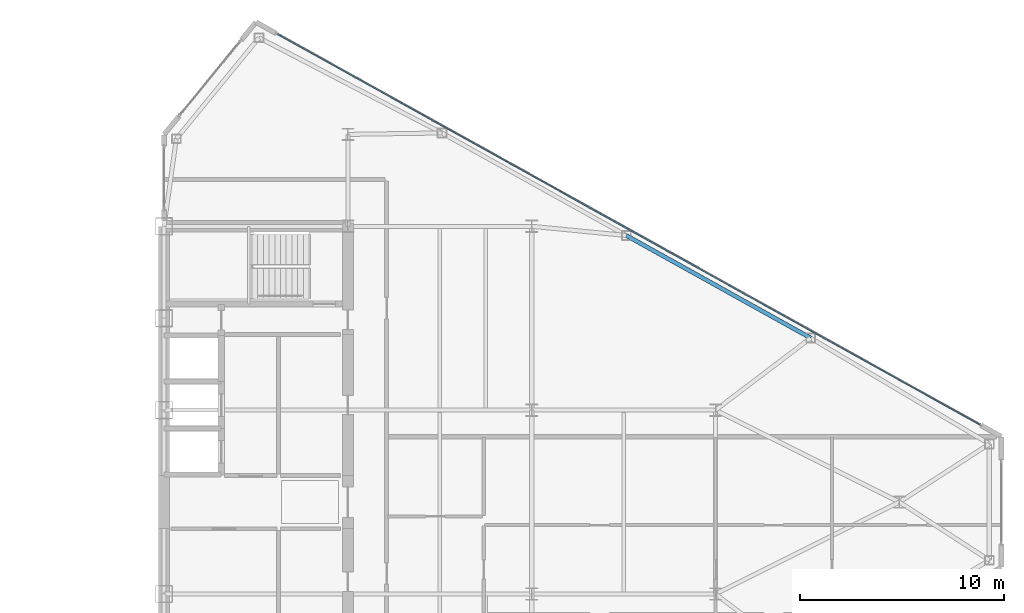
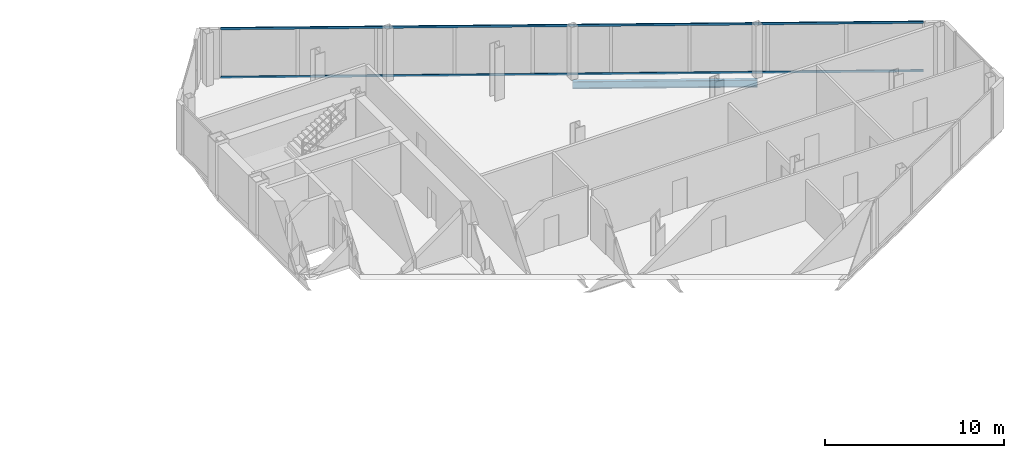
# One storey, part 16 of 25: 2 members, 1 beam, 1 element without a shape of its own.
"""IFC4 building model written with IfcOpenShell, lengths in metres."""

from ifc_helpers import new_model, si_unit, direction, frame, origin, origin_2d, place, context, subcontext, project, spatial, rectangle, i_section, extrude, source, transform, mapped, material, layer, layer_set, material_profile, profile_set, type_object, type_shapes, element, aggregate, save


model = new_model("IFC4")

# Units and contexts
model_context = context("Model", 3, precision=1e-05, world=origin(), true_north=direction((0.0, 1.0)))
body_context = subcontext(model_context, "Body", "Model", "MODEL_VIEW")
ifc_project = project(units=[si_unit("LENGTHUNIT", "METRE"), si_unit("AREAUNIT", "SQUARE_METRE"), si_unit("VOLUMEUNIT", "CUBIC_METRE"), si_unit("PLANEANGLEUNIT", "RADIAN"), si_unit("MASSUNIT", "GRAM", prefix="KILO")], contexts=[model_context])

# Site, building, storey
site_placement = place(None, origin())
site = spatial("IfcSite", under=ifc_project, at=site_placement, CompositionType="ELEMENT")
building_placement = place(site_placement, origin())
building = spatial("IfcBuilding", under=site, at=building_placement, Name="Seokmaru Belvedere", CompositionType="ELEMENT")
storey_placement = place(building_placement, frame((0.0, 0.0, 185.10009765625)))
storey = spatial("IfcBuildingStorey", under=building, at=storey_placement, Name="L49", CompositionType="ELEMENT", Elevation=185.10009765625)

# Beam
ifc_material_1 = material(Name="Steel SM355 (355 MPa)", Category="steel")
ifc_material_profile_1 = material_profile(ifc_material_1, i_section(OverallWidth=0.199951171875, OverallDepth=0.5, WebThickness=0.010009765625, FlangeThickness=0.01611328125, at=origin_2d()), Name="H-500x200x10x16")
ifc_profile_set_1 = profile_set([ifc_material_profile_1], Name="Steel SM355 (355 MPa)")
beam_type = type_object("IfcBeamType", Name="Perimeter Spandrel Beam H-500", PredefinedType="SPANDREL", material=ifc_profile_set_1)
shared_shape_1 = source(origin(), body_context, "Body", "SweptSolid", [
    extrude(i_section(OverallWidth=0.199951171875, OverallDepth=0.5, WebThickness=0.010009765625, FlangeThickness=0.01611328125, at=origin_2d()), origin(), (0.0, 0.0, 1.0), 10.327392578125),
])
type_shapes(beam_type, [shared_shape_1])
beam_placement = place(storey_placement, frame((50.129150390625, 13.051025390625, -0.47021484375), z_axis=(0.873934162361, -0.48604431882, 0.0), x_axis=(0.48604431882, 0.873934162361, 0.0)))
element("IfcBeam", 1, at=beam_placement, inside=storey, type_object=beam_type, Name="L49 E Faceted Flank Spandrel N-3", PredefinedType="SPANDREL", context=body_context, shape_type="MappedRepresentation", body=[
    mapped(shared_shape_1, transform((0.0, 0.0, 0.0), scale=1.0)),
])

# Curtain wall, members
ifc_material_2 = material(Name="Bronze Triple Insulating Glass", Category="glass")
ifc_layer = layer(ifc_material_2, 0.179931640625)
ifc_layer_set = layer_set([ifc_layer], Name="Bronze Triple Insulating Glass")
curtain_wall_type = type_object("IfcCurtainWallType", Name="High-Rise Wind-Corner Curtain Wall System CW-5", PredefinedType="NOTDEFINED", material=ifc_layer_set)
curtain_wall_placement = place(storey_placement, origin())
curtain_wall = element("IfcCurtainWall", 2, at=curtain_wall_placement, inside=storey, type_object=curtain_wall_type, Name="L49 Curtain Wall EF3", PredefinedType="NOTDEFINED")
ifc_material_3 = material(Name="Anodised Bronze Aluminium", Category="aluminium")
ifc_material_profile_2 = material_profile(ifc_material_3, rectangle(XDim=0.06494140625, YDim=0.14990234375, at=origin_2d()), Name="CW-T-65x150")
ifc_profile_set_2 = profile_set([ifc_material_profile_2], Name="Anodised Bronze Aluminium")
member_type = type_object("IfcMemberType", Name="Bronze Unitised Transom 65x150", PredefinedType="USERDEFINED", material=ifc_profile_set_2)
shared_shape_2 = source(origin(), body_context, "Body", "SweptSolid", [
    extrude(rectangle(XDim=0.06494140625, YDim=0.14990234375, at=origin_2d()), origin(), (0.0, 0.0, 1.0), 39.33544921875),
])
type_shapes(member_type, [shared_shape_2])
member_1_placement = place(storey_placement, frame((67.438232421875, 3.79052734375, 0.032470703125), z_axis=(-0.873932045133, 0.486048125693, 0.0), x_axis=(-0.486048125693, -0.873932045133, 0.0)))
member_1 = element("IfcMember", 3, at=member_1_placement, type_object=member_type, Name="CW:L49:EF3 Continuous Transom 1", ObjectType="TRANSOM", PredefinedType="USERDEFINED", context=body_context, shape_type="MappedRepresentation", body=[
    mapped(shared_shape_2, transform((0.0, 0.0, 0.0), scale=1.0)),
])
member_2_placement = place(storey_placement, frame((67.438232421875, 3.79052734375, 3.347412109375), z_axis=(-0.873932045133, 0.486048125693, 0.0), x_axis=(-0.486048125693, -0.873932045133, 0.0)))
member_2 = element("IfcMember", 4, at=member_2_placement, type_object=member_type, Name="CW:L49:EF3 Continuous Transom 2", ObjectType="TRANSOM", PredefinedType="USERDEFINED", context=body_context, shape_type="MappedRepresentation", body=[
    mapped(shared_shape_2, transform((0.0, 0.0, 0.0), scale=1.0)),
])
aggregate(curtain_wall, [member_1, member_2])

save(model, "model.ifc")
